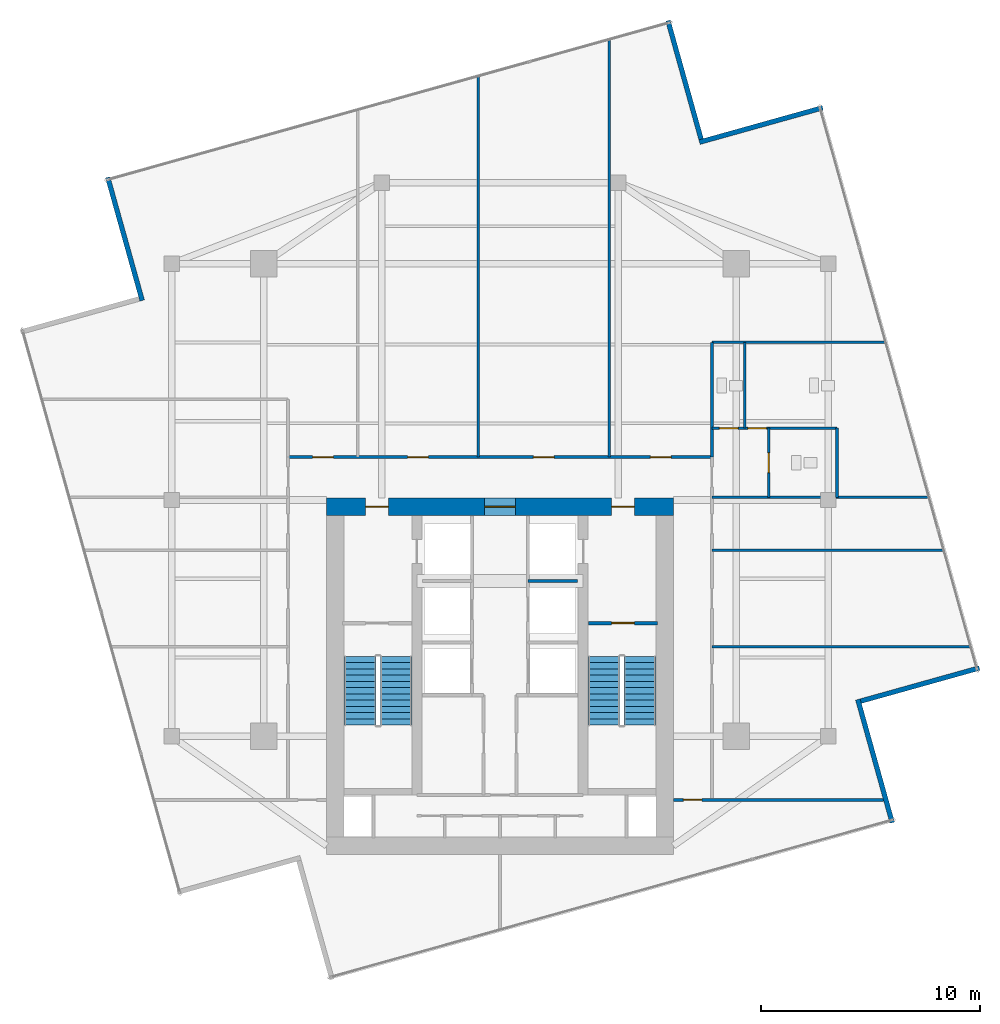
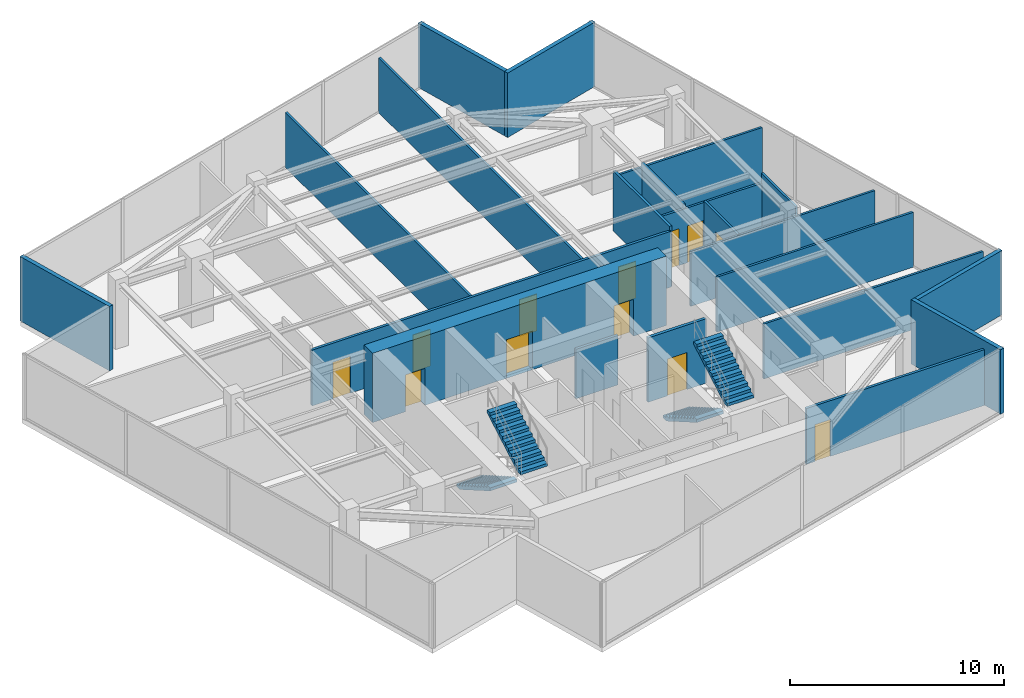
# One storey, part 18 of 20: 21 walls, 12 doors, 4 stair flights, 12 openings, 2 elements without a shape of their own.
"""IFC4 building model written with IfcOpenShell, lengths in metres."""

from ifc_helpers import new_model, si_unit, direction, frame, frame_2d, origin, place, context, subcontext, project, spatial, polyline, rectangle, outline, extrude, material, layer, layer_set, type_object, element, fill, aggregate, save


model = new_model("IFC4")

# Units and contexts
model_context = context("Model", 3, precision=1e-05, world=origin(), true_north=direction((0.0, 1.0)))
body_context = subcontext(model_context, "Body", "Model", "MODEL_VIEW")
ifc_project = project(units=[si_unit("LENGTHUNIT", "METRE"), si_unit("AREAUNIT", "SQUARE_METRE"), si_unit("VOLUMEUNIT", "CUBIC_METRE"), si_unit("PLANEANGLEUNIT", "RADIAN"), si_unit("MASSUNIT", "GRAM", prefix="KILO")], contexts=[model_context])

# Site, building, storey
site_placement = place(None, origin())
site = spatial("IfcSite", under=ifc_project, at=site_placement, CompositionType="ELEMENT")
building_placement = place(site_placement, origin())
building = spatial("IfcBuilding", under=site, at=building_placement, Name="Krantzveldt Concourse Tower", CompositionType="ELEMENT")
storey_placement = place(building_placement, frame((0.0, 0.0, 351.39990234375)))
storey = spatial("IfcBuildingStorey", under=building, at=storey_placement, Name="L86", CompositionType="ELEMENT", Elevation=351.39990234375)

# Walls
ifc_material_1 = material(Name="Anodised aluminium 6063-T6", Category="aluminium")
ifc_layer_1 = layer(ifc_material_1, 0.219970703125, Name="Anodised aluminium 6063-T6", Category="aluminium")
ifc_layer_set_1 = layer_set([ifc_layer_1], Name="Anodised aluminium 6063-T6 (WL-EXT-NOTCH220)")
wall_type_1 = type_object("IfcWallType", Name="WL-EXT-NOTCH220", PredefinedType="ELEMENTEDWALL", material=ifc_layer_set_1)
wall_1_placement = place(storey_placement, frame((45.189697265625, 43.184326171875, 0.0), z_axis=(0.0, 0.0, 1.0), x_axis=(-0.269351408795, 0.963041960965, 0.0)))
element("IfcWall", 1, at=wall_1_placement, inside=storey, type_object=wall_type_1, Name="EW-L86-NCH00", PredefinedType="ELEMENTEDWALL", context=body_context, shape_type="SweptSolid", body=[
    extrude(rectangle(XDim=5.625244140625, YDim=0.219970703125, at=frame_2d((2.8125, 0.0))), origin(), (0.0, 0.0, 1.0), 3.670166015625),
])
wall_2_placement = place(storey_placement, frame((18.076904296875, 41.4423828125, 0.0), z_axis=(0.0, 0.0, 1.0), x_axis=(0.269332441418, -0.963047265714, 0.0)))
element("IfcWall", 2, at=wall_2_placement, inside=storey, type_object=wall_type_1, Name="EW-L86-NCH02", PredefinedType="ELEMENTEDWALL", context=body_context, shape_type="SweptSolid", body=[
    extrude(rectangle(XDim=5.844970703125, YDim=0.219970703125, at=frame_2d((2.92236328125, 0.0))), origin(), (0.0, 0.0, 1.0), 3.670166015625),
])
wall_3_placement = place(storey_placement, frame((53.923095703125, 11.95751953125, 0.0), z_axis=(0.0, 0.0, 1.0), x_axis=(-0.26932160756, 0.96305029552, 0.0)))
element("IfcWall", 3, at=wall_3_placement, inside=storey, type_object=wall_type_1, Name="EW-L86-NCH08", PredefinedType="ELEMENTEDWALL", context=body_context, shape_type="SweptSolid", body=[
    extrude(rectangle(XDim=5.84521484375, YDim=0.219970703125, at=frame_2d((2.922607421875, 0.0))), origin(), (0.0, 0.0, 1.0), 3.670166015625),
])
wall_4_placement = place(storey_placement, frame((52.484375, 17.51025390625, 0.0), z_axis=(0.0, 0.0, 1.0), x_axis=(0.963038811961, 0.269362667524, 0.0)))
element("IfcWall", 4, at=wall_4_placement, inside=storey, type_object=wall_type_1, Name="EW-L86-NCH09", PredefinedType="ELEMENTEDWALL", context=body_context, shape_type="SweptSolid", body=[
    extrude(rectangle(XDim=5.625, YDim=0.219970703125, at=frame_2d((2.8125, 0.0))), origin(), (0.0, 0.0, 1.0), 3.670166015625),
])
wall_5_placement = place(storey_placement, frame((50.742431640625, 44.623046875, 0.0), z_axis=(0.0, 0.0, 1.0), x_axis=(-0.963047265714, -0.269332441418, 0.0)))
element("IfcWall", 5, at=wall_5_placement, inside=storey, type_object=wall_type_1, Name="EW-L86-NCH11", PredefinedType="ELEMENTEDWALL", context=body_context, shape_type="SweptSolid", body=[
    extrude(rectangle(XDim=5.844970703125, YDim=0.219970703125, at=frame_2d((2.92236328125, 0.0))), origin(), (0.0, 0.0, 1.0), 3.670166015625),
])
ifc_material_2 = material(Name="Fire-rated gypsum plasterboard on steel stud", Category="steel")
ifc_layer_2 = layer(ifc_material_2, 0.1201171875, Name="Fire-rated gypsum plasterboard on steel stud", Category="steel")
ifc_layer_set_2 = layer_set([ifc_layer_2], Name="Fire-rated gypsum plasterboard on steel stud (WL-PART-120)")
wall_type_2 = type_object("IfcWallType", Name="WL-PART-120", PredefinedType="PARTITIONING", material=ifc_layer_set_2)
wall_6_placement = place(storey_placement, frame((45.679931640625, 26.820068359375, 0.0), z_axis=(0.0, 0.0, 1.0), x_axis=(1.0, 0.0, 0.0)))
element("IfcWall", 6, at=wall_6_placement, inside=storey, type_object=wall_type_2, Name="WP-L86-WCBS", PredefinedType="PARTITIONING", context=body_context, shape_type="SweptSolid", body=[
    extrude(rectangle(XDim=9.922119140625, YDim=0.1201171875, at=frame_2d((4.9609375, 0.0))), origin(), (0.0, 0.0, 1.0), 3.130126953125),
])
wall_7_placement = place(storey_placement, frame((45.679931640625, 33.89990234375, 0.0), z_axis=(0.0, 0.0, 1.0), x_axis=(1.0, 0.0, 0.0)))
element("IfcWall", 7, at=wall_7_placement, inside=storey, type_object=wall_type_2, Name="WP-L86-WCBN", PredefinedType="PARTITIONING", context=body_context, shape_type="SweptSolid", body=[
    extrude(rectangle(XDim=7.942138671875, YDim=0.1201171875, at=frame_2d((3.97119140625, 0.0))), origin(), (0.0, 0.0, 1.0), 3.130126953125),
])

# Wall, openings, doors
wall_8_placement = place(storey_placement, frame((45.679931640625, 29.97998046875, 0.0), z_axis=(0.0, 0.0, 1.0), x_axis=(1.0, 0.0, 0.0)))
wall_8 = element("IfcWall", 8, at=wall_8_placement, inside=storey, type_object=wall_type_2, Name="WP-L86-WCMH", PredefinedType="PARTITIONING", context=body_context, shape_type="SweptSolid", body=[
    extrude(rectangle(XDim=5.719970703125, YDim=0.1201171875, at=frame_2d((2.85986328125, 0.0))), origin(), (0.0, 0.0, 1.0), 3.130126953125),
])
opening_1_placement = place(wall_8_placement, frame((1.64501953125, 0.0, 0.0)))
opening_1 = element("IfcOpeningElement", 9, at=opening_1_placement, cuts=wall_8, Name="Opening D-IN085", PredefinedType="OPENING", context=body_context, shape_type="SweptSolid", body=[
    extrude(rectangle(XDim=0.85009765625, YDim=2.10009765625, at=frame_2d((0.425048828125, 1.050048828125))), frame((0.0, 0.070068359375, 0.0), z_axis=(0.0, -1.0, 0.0), x_axis=(1.0, 0.0, 0.0)), (0.0, 0.0, 1.0), 0.14013671875),
])
opening_2_placement = place(wall_8_placement, frame((0.344970703125, 0.0, 0.0)))
opening_2 = element("IfcOpeningElement", 10, at=opening_2_placement, cuts=wall_8, Name="Opening D-IN085", PredefinedType="OPENING", context=body_context, shape_type="SweptSolid", body=[
    extrude(rectangle(XDim=0.85009765625, YDim=2.10009765625, at=frame_2d((0.425048828125, 1.050048828125))), frame((0.0, 0.070068359375, 0.0), z_axis=(0.0, -1.0, 0.0), x_axis=(1.0, 0.0, 0.0)), (0.0, 0.0, 1.0), 0.14013671875),
])
ifc_material_3 = material(Name="Hardwood timber", Category="wood")
door_type_1 = type_object("IfcDoorType", Name="DR-INT-850", OperationType="SINGLE_SWING_LEFT", PredefinedType="DOOR", material=ifc_material_3)
door_1_placement = place(opening_1_placement, origin())
door_1 = element("IfcDoor", 11, at=door_1_placement, inside=storey, type_object=door_type_1, Name="DR-L86-WCM", OperationType="SINGLE_SWING_RIGHT", OverallHeight=2.10009765625, OverallWidth=0.85009765625, PredefinedType="DOOR", context=body_context, shape_type="SweptSolid", body=[
    extrude(rectangle(XDim=0.85009765625, YDim=2.10009765625, at=frame_2d((0.425048828125, 1.050048828125))), frame((0.0, 0.02490234375, 0.0), z_axis=(0.0, -1.0, 0.0), x_axis=(1.0, 0.0, 0.0)), (0.0, 0.0, 1.0), 0.050048828125),
])
fill(opening_1, door_1)
door_2_placement = place(opening_2_placement, origin())
door_2 = element("IfcDoor", 12, at=door_2_placement, inside=storey, type_object=door_type_1, Name="DR-L86-WCF", OperationType="SINGLE_SWING_LEFT", OverallHeight=2.10009765625, OverallWidth=0.85009765625, PredefinedType="DOOR", context=body_context, shape_type="SweptSolid", body=[
    extrude(rectangle(XDim=0.85009765625, YDim=2.10009765625, at=frame_2d((0.425048828125, 1.050048828125))), frame((0.0, 0.02490234375, 0.0), z_axis=(0.0, -1.0, 0.0), x_axis=(1.0, 0.0, 0.0)), (0.0, 0.0, 1.0), 0.050048828125),
])
fill(opening_2, door_2)

# Wall
wall_9_placement = place(storey_placement, frame((51.39990234375, 26.820068359375, 0.0), z_axis=(0.0, 0.0, 1.0), x_axis=(0.0, 1.0, 0.0)))
element("IfcWall", 13, at=wall_9_placement, inside=storey, type_object=wall_type_2, Name="WP-L86-WCAR", PredefinedType="PARTITIONING", context=body_context, shape_type="SweptSolid", body=[
    extrude(rectangle(XDim=3.159912109375, YDim=0.1201171875, at=frame_2d((1.580078125, 0.0))), origin(), (0.0, 0.0, 1.0), 3.670166015625),
])

# Wall, opening, door
wall_10_placement = place(storey_placement, frame((48.280029296875, 26.820068359375, 0.0), z_axis=(0.0, 0.0, 1.0), x_axis=(0.0, 1.0, 0.0)))
wall_10 = element("IfcWall", 14, at=wall_10_placement, inside=storey, type_object=wall_type_2, Name="WP-L86-WCAV", PredefinedType="PARTITIONING", context=body_context, shape_type="SweptSolid", body=[
    extrude(rectangle(XDim=3.159912109375, YDim=0.1201171875, at=frame_2d((1.580078125, 0.0))), origin(), (0.0, 0.0, 1.0), 3.18017578125),
])
opening_3_placement = place(wall_10_placement, frame((1.1298828125, 0.0, 0.0)))
opening_3 = element("IfcOpeningElement", 15, at=opening_3_placement, cuts=wall_10, Name="Opening D-IN090", PredefinedType="OPENING", context=body_context, shape_type="SweptSolid", body=[
    extrude(rectangle(XDim=0.89990234375, YDim=2.10009765625, at=frame_2d((0.449951171875, 1.050048828125))), frame((0.0, 0.070068359375, 0.0), z_axis=(0.0, -1.0, 0.0), x_axis=(1.0, 0.0, 0.0)), (0.0, 0.0, 1.0), 0.14013671875),
])
door_type_2 = type_object("IfcDoorType", Name="DR-INT-900", OperationType="SINGLE_SWING_LEFT", PredefinedType="DOOR", material=ifc_material_3)
door_3_placement = place(opening_3_placement, origin())
door_3 = element("IfcDoor", 16, at=door_3_placement, inside=storey, type_object=door_type_2, Name="DR-L86-WCA", OperationType="SINGLE_SWING_RIGHT", OverallHeight=2.10009765625, OverallWidth=0.89990234375, PredefinedType="DOOR", context=body_context, shape_type="SweptSolid", body=[
    extrude(rectangle(XDim=0.89990234375, YDim=2.10009765625, at=frame_2d((0.449951171875, 1.050048828125))), frame((0.0, 0.02490234375, 0.0), z_axis=(0.0, -1.0, 0.0), x_axis=(1.0, 0.0, 0.0)), (0.0, 0.0, 1.0), 0.050048828125),
])
fill(opening_3, door_3)

# Walls
wall_11_placement = place(storey_placement, frame((47.179931640625, 29.97998046875, 0.0), z_axis=(0.0, 0.0, 1.0), x_axis=(0.0, 1.0, 0.0)))
element("IfcWall", 17, at=wall_11_placement, inside=storey, type_object=wall_type_2, Name="WP-L86-WCFD", PredefinedType="PARTITIONING", context=body_context, shape_type="SweptSolid", body=[
    extrude(rectangle(XDim=3.919921875, YDim=0.1201171875, at=frame_2d((1.9599609375, 0.0))), origin(), (0.0, 0.0, 1.0), 3.3701171875),
])
wall_12_placement = place(storey_placement, frame((35.0, 28.659912109375, 0.0), z_axis=(0.0, 0.0, 1.0), x_axis=(0.0, 1.0, 0.0)))
element("IfcWall", 18, at=wall_12_placement, inside=storey, type_object=wall_type_2, Name="WP-L86-ND2", PredefinedType="PARTITIONING", context=body_context, shape_type="SweptSolid", body=[
    extrude(rectangle(XDim=17.39599609375, YDim=0.1201171875, at=frame_2d((8.697998046875, 0.0))), origin(), (0.0, 0.0, 1.0), 3.130126953125),
])
wall_13_placement = place(storey_placement, frame((41.0, 28.659912109375, 0.0), z_axis=(0.0, 0.0, 1.0), x_axis=(0.0, 1.0, 0.0)))
element("IfcWall", 19, at=wall_13_placement, inside=storey, type_object=wall_type_2, Name="WP-L86-ND3", PredefinedType="PARTITIONING", context=body_context, shape_type="SweptSolid", body=[
    extrude(rectangle(XDim=19.073974609375, YDim=0.1201171875, at=frame_2d((9.537109375, 0.0))), origin(), (0.0, 0.0, 1.0), 3.130126953125),
])
wall_14_placement = place(storey_placement, frame((45.679931640625, 20.0, 0.0), z_axis=(0.0, 0.0, 1.0), x_axis=(1.0, 0.0, 0.0)))
element("IfcWall", 20, at=wall_14_placement, inside=storey, type_object=wall_type_2, Name="WP-L86-ED1", PredefinedType="PARTITIONING", context=body_context, shape_type="SweptSolid", body=[
    extrude(rectangle(XDim=11.82958984375, YDim=0.1201171875, at=frame_2d((5.914794921875, 0.0))), origin(), (0.0, 0.0, 1.0), 3.130126953125),
])
wall_15_placement = place(storey_placement, frame((45.679931640625, 24.39990234375, 0.0), z_axis=(0.0, 0.0, 1.0), x_axis=(1.0, 0.0, 0.0)))
element("IfcWall", 21, at=wall_15_placement, inside=storey, type_object=wall_type_2, Name="WP-L86-ED2", PredefinedType="PARTITIONING", context=body_context, shape_type="SweptSolid", body=[
    extrude(rectangle(XDim=10.598876953125, YDim=0.1201171875, at=frame_2d((5.29931640625, 0.0))), origin(), (0.0, 0.0, 1.0), 3.130126953125),
])

# Wall, openings, doors
ifc_layer_3 = layer(ifc_material_2, 0.139892578125, Name="Fire-rated gypsum plasterboard on steel stud", Category="steel")
ifc_layer_set_3 = layer_set([ifc_layer_3], Name="Fire-rated gypsum plasterboard on steel stud (WL-PART-140)")
wall_type_3 = type_object("IfcWallType", Name="WL-PART-140", PredefinedType="PARTITIONING", material=ifc_layer_set_3)
wall_16_placement = place(storey_placement, frame((26.320068359375, 28.659912109375, 0.0), z_axis=(0.0, 0.0, 1.0), x_axis=(1.0, 0.0, 0.0)))
wall_16 = element("IfcWall", 22, at=wall_16_placement, inside=storey, type_object=wall_type_3, Name="WP-L86-CNHDR", PredefinedType="PARTITIONING", context=body_context, shape_type="SweptSolid", body=[
    extrude(rectangle(XDim=19.35986328125, YDim=0.139892578125, at=frame_2d((9.679931640625, 0.0))), origin(), (0.0, 0.0, 1.0), 3.18017578125),
])
opening_4_placement = place(wall_16_placement, frame((1.114990234375, 0.0, 0.0)))
opening_4 = element("IfcOpeningElement", 23, at=opening_4_placement, cuts=wall_16, Name="Opening D-IN095", PredefinedType="OPENING", context=body_context, shape_type="SweptSolid", body=[
    extrude(rectangle(XDim=0.949951171875, YDim=2.10009765625, at=frame_2d((0.47509765625, 1.050048828125))), frame((0.0, 0.080078125, 0.0), z_axis=(0.0, -1.0, 0.0), x_axis=(1.0, 0.0, 0.0)), (0.0, 0.0, 1.0), 0.159912109375),
])
opening_5_placement = place(wall_16_placement, frame((5.455078125, 0.0, 0.0)))
opening_5 = element("IfcOpeningElement", 24, at=opening_5_placement, cuts=wall_16, Name="Opening D-IN095", PredefinedType="OPENING", context=body_context, shape_type="SweptSolid", body=[
    extrude(rectangle(XDim=0.949951171875, YDim=2.10009765625, at=frame_2d((0.47509765625, 1.050048828125))), frame((0.0, 0.080078125, 0.0), z_axis=(0.0, -1.0, 0.0), x_axis=(1.0, 0.0, 0.0)), (0.0, 0.0, 1.0), 0.159912109375),
])
opening_6_placement = place(wall_16_placement, frame((11.205078125, 0.0, 0.0)))
opening_6 = element("IfcOpeningElement", 25, at=opening_6_placement, cuts=wall_16, Name="Opening D-IN095", PredefinedType="OPENING", context=body_context, shape_type="SweptSolid", body=[
    extrude(rectangle(XDim=0.949951171875, YDim=2.10009765625, at=frame_2d((0.47509765625, 1.050048828125))), frame((0.0, 0.080078125, 0.0), z_axis=(0.0, -1.0, 0.0), x_axis=(1.0, 0.0, 0.0)), (0.0, 0.0, 1.0), 0.159912109375),
])
opening_7_placement = place(wall_16_placement, frame((16.544921875, 0.0, 0.0)))
opening_7 = element("IfcOpeningElement", 26, at=opening_7_placement, cuts=wall_16, Name="Opening D-IN095", PredefinedType="OPENING", context=body_context, shape_type="SweptSolid", body=[
    extrude(rectangle(XDim=0.949951171875, YDim=2.10009765625, at=frame_2d((0.47509765625, 1.050048828125))), frame((0.0, 0.080078125, 0.0), z_axis=(0.0, -1.0, 0.0), x_axis=(1.0, 0.0, 0.0)), (0.0, 0.0, 1.0), 0.159912109375),
])
door_type_3 = type_object("IfcDoorType", Name="DR-INT-950", OperationType="SINGLE_SWING_LEFT", PredefinedType="DOOR", material=ifc_material_3)
door_4_placement = place(opening_4_placement, origin())
door_4 = element("IfcDoor", 27, at=door_4_placement, inside=storey, type_object=door_type_3, Name="DR-L86-NR1", OperationType="SINGLE_SWING_LEFT", OverallHeight=2.10009765625, OverallWidth=0.949951171875, PredefinedType="DOOR", context=body_context, shape_type="SweptSolid", body=[
    extrude(rectangle(XDim=0.949951171875, YDim=2.10009765625, at=frame_2d((0.47509765625, 1.050048828125))), frame((0.0, 0.02490234375, 0.0), z_axis=(0.0, -1.0, 0.0), x_axis=(1.0, 0.0, 0.0)), (0.0, 0.0, 1.0), 0.050048828125),
])
fill(opening_4, door_4)
door_5_placement = place(opening_5_placement, origin())
door_5 = element("IfcDoor", 28, at=door_5_placement, inside=storey, type_object=door_type_3, Name="DR-L86-NR2", OperationType="SINGLE_SWING_LEFT", OverallHeight=2.10009765625, OverallWidth=0.949951171875, PredefinedType="DOOR", context=body_context, shape_type="SweptSolid", body=[
    extrude(rectangle(XDim=0.949951171875, YDim=2.10009765625, at=frame_2d((0.47509765625, 1.050048828125))), frame((0.0, 0.02490234375, 0.0), z_axis=(0.0, -1.0, 0.0), x_axis=(1.0, 0.0, 0.0)), (0.0, 0.0, 1.0), 0.050048828125),
])
fill(opening_5, door_5)
door_6_placement = place(opening_6_placement, origin())
door_6 = element("IfcDoor", 29, at=door_6_placement, inside=storey, type_object=door_type_3, Name="DR-L86-NR3", OperationType="SINGLE_SWING_LEFT", OverallHeight=2.10009765625, OverallWidth=0.949951171875, PredefinedType="DOOR", context=body_context, shape_type="SweptSolid", body=[
    extrude(rectangle(XDim=0.949951171875, YDim=2.10009765625, at=frame_2d((0.47509765625, 1.050048828125))), frame((0.0, 0.02490234375, 0.0), z_axis=(0.0, -1.0, 0.0), x_axis=(1.0, 0.0, 0.0)), (0.0, 0.0, 1.0), 0.050048828125),
])
fill(opening_6, door_6)
door_7_placement = place(opening_7_placement, origin())
door_7 = element("IfcDoor", 30, at=door_7_placement, inside=storey, type_object=door_type_3, Name="DR-L86-NR4", OperationType="SINGLE_SWING_LEFT", OverallHeight=2.10009765625, OverallWidth=0.949951171875, PredefinedType="DOOR", context=body_context, shape_type="SweptSolid", body=[
    extrude(rectangle(XDim=0.949951171875, YDim=2.10009765625, at=frame_2d((0.47509765625, 1.050048828125))), frame((0.0, 0.02490234375, 0.0), z_axis=(0.0, -1.0, 0.0), x_axis=(1.0, 0.0, 0.0)), (0.0, 0.0, 1.0), 0.050048828125),
])
fill(opening_7, door_7)

# Wall, opening, door
wall_17_placement = place(storey_placement, frame((43.919921875, 13.0, 0.0), z_axis=(0.0, 0.0, 1.0), x_axis=(1.0, 0.0, 0.0)))
wall_17 = element("IfcWall", 31, at=wall_17_placement, inside=storey, type_object=wall_type_3, Name="WP-L86-CSBOTE", PredefinedType="PARTITIONING", context=body_context, shape_type="SweptSolid", body=[
    extrude(rectangle(XDim=9.59228515625, YDim=0.139892578125, at=frame_2d((4.796142578125, 0.0))), origin(), (0.0, 0.0, 1.0), 3.18017578125),
])
opening_8_placement = place(wall_17_placement, frame((0.455078125, 0.0, 0.0)))
opening_8 = element("IfcOpeningElement", 32, at=opening_8_placement, cuts=wall_17, Name="Opening D-IN085", PredefinedType="OPENING", context=body_context, shape_type="SweptSolid", body=[
    extrude(rectangle(XDim=0.85009765625, YDim=2.10009765625, at=frame_2d((0.425048828125, 1.050048828125))), frame((0.0, 0.080078125, 0.0), z_axis=(0.0, -1.0, 0.0), x_axis=(1.0, 0.0, 0.0)), (0.0, 0.0, 1.0), 0.159912109375),
])
door_8_placement = place(opening_8_placement, origin())
door_8 = element("IfcDoor", 33, at=door_8_placement, inside=storey, type_object=door_type_1, Name="DR-L86-SR2", OperationType="SINGLE_SWING_LEFT", OverallHeight=2.10009765625, OverallWidth=0.85009765625, PredefinedType="DOOR", context=body_context, shape_type="SweptSolid", body=[
    extrude(rectangle(XDim=0.85009765625, YDim=2.10009765625, at=frame_2d((0.425048828125, 1.050048828125))), frame((0.0, 0.02490234375, 0.0), z_axis=(0.0, -1.0, 0.0), x_axis=(1.0, 0.0, 0.0)), (0.0, 0.0, 1.0), 0.050048828125),
])
fill(opening_8, door_8)

# Walls
wall_18_placement = place(storey_placement, frame((45.679931640625, 28.659912109375, 0.0), z_axis=(0.0, 0.0, 1.0), x_axis=(0.0, 1.0, 0.0)))
element("IfcWall", 34, at=wall_18_placement, inside=storey, type_object=wall_type_3, Name="WP-L86-NER", PredefinedType="PARTITIONING", context=body_context, shape_type="SweptSolid", body=[
    extrude(rectangle(XDim=5.239990234375, YDim=0.139892578125, at=frame_2d((2.6201171875, 0.0))), origin(), (0.0, 0.0, 1.0), 3.43017578125),
])
ifc_layer_4 = layer(ifc_material_2, 0.139892578125, Name="Fire-rated gypsum plasterboard on steel stud", Category="steel")
ifc_layer_set_4 = layer_set([ifc_layer_4], Name="Fire-rated gypsum plasterboard on steel stud (WL-PART-FR140)")
wall_type_4 = type_object("IfcWallType", Name="WL-PART-FR140", PredefinedType="PARTITIONING", material=ifc_layer_set_4)
wall_19_placement = place(storey_placement, frame((37.280029296875, 23.0, 0.0), z_axis=(0.0, 0.0, 1.0), x_axis=(1.0, 0.0, 0.0)))
element("IfcWall", 35, at=wall_19_placement, inside=storey, type_object=wall_type_4, Name="WP-L86-GLH", PredefinedType="PARTITIONING", context=body_context, shape_type="SweptSolid", body=[
    extrude(rectangle(XDim=2.27001953125, YDim=0.139892578125, at=frame_2d((1.135009765625, 0.0))), origin(), (0.0, 0.0, 1.0), 2.820068359375),
])

# Wall, opening, door
ifc_layer_5 = layer(ifc_material_2, 0.159912109375, Name="Fire-rated gypsum plasterboard on steel stud", Category="steel")
ifc_layer_set_5 = layer_set([ifc_layer_5], Name="Fire-rated gypsum plasterboard on steel stud (WL-PART-FR160)")
wall_type_5 = type_object("IfcWallType", Name="WL-PART-FR160", PredefinedType="PARTITIONING", material=ifc_layer_set_5)
wall_20_placement = place(storey_placement, frame((40.0400390625, 21.080078125, 0.0), z_axis=(0.0, 0.0, 1.0), x_axis=(1.0, 0.0, 0.0)))
wall_20 = element("IfcWall", 36, at=wall_20_placement, inside=storey, type_object=wall_type_5, Name="WP-L86-ST2", PredefinedType="PARTITIONING", context=body_context, shape_type="SweptSolid", body=[
    extrude(rectangle(XDim=3.159912109375, YDim=0.159912109375, at=frame_2d((1.580078125, 0.0))), origin(), (0.0, 0.0, 1.0), 3.670166015625),
])
opening_9_placement = place(wall_20_placement, frame((1.054931640625, 0.0, 0.0)))
opening_9 = element("IfcOpeningElement", 37, at=opening_9_placement, cuts=wall_20, Name="Opening D-FD105", PredefinedType="OPENING", context=body_context, shape_type="SweptSolid", body=[
    extrude(rectangle(XDim=1.050048828125, YDim=2.10009765625, at=frame_2d((0.52490234375, 1.050048828125))), frame((0.0, 0.08984375, 0.0), z_axis=(0.0, -1.0, 0.0), x_axis=(1.0, 0.0, 0.0)), (0.0, 0.0, 1.0), 0.179931640625),
])
ifc_material_4 = material(Name="Galvanised steel", Category="steel")
door_type_4 = type_object("IfcDoorType", Name="DR-FD120-1050", OperationType="SINGLE_SWING_LEFT", PredefinedType="DOOR", material=ifc_material_4)
door_9_placement = place(opening_9_placement, origin())
door_9 = element("IfcDoor", 38, at=door_9_placement, inside=storey, type_object=door_type_4, Name="DR-L86-ST2", OperationType="SINGLE_SWING_LEFT", OverallHeight=2.10009765625, OverallWidth=1.050048828125, PredefinedType="DOOR", context=body_context, shape_type="SweptSolid", body=[
    extrude(rectangle(XDim=1.050048828125, YDim=2.10009765625, at=frame_2d((0.52490234375, 1.050048828125))), frame((0.0, 0.02490234375, 0.0), z_axis=(0.0, -1.0, 0.0), x_axis=(1.0, 0.0, 0.0)), (0.0, 0.0, 1.0), 0.050048828125),
])
fill(opening_9, door_9)

# Wall, openings, doors
ifc_material_5 = material(Name="Concrete C60/75", Category="concrete")
ifc_layer_6 = layer(ifc_material_5, 0.800048828125, Name="Concrete C60/75", Category="concrete")
ifc_layer_set_6 = layer_set([ifc_layer_6], Name="Concrete C60/75 (WL-SHEAR-800)")
wall_type_6 = type_object("IfcWallType", Name="WL-SHEAR-800", PredefinedType="SHEAR", material=ifc_layer_set_6)
wall_21_placement = place(storey_placement, frame((28.080078125, 26.39990234375, 0.0), z_axis=(0.0, 0.0, 1.0), x_axis=(1.0, 0.0, 0.0)))
wall_21 = element("IfcWall", 39, at=wall_21_placement, inside=storey, type_object=wall_type_6, Name="CW-L86-N", PredefinedType="SHEAR", context=body_context, shape_type="SweptSolid", body=[
    extrude(rectangle(XDim=15.83984375, YDim=0.800048828125, at=frame_2d((7.919921875, 0.0))), origin(), (0.0, 0.0, 1.0), 3.9501953125),
])
opening_10_placement = place(wall_21_placement, frame((7.219970703125, 0.0, 0.0)))
opening_10 = element("IfcOpeningElement", 40, at=opening_10_placement, cuts=wall_21, Name="Opening D-DB140", PredefinedType="OPENING", context=body_context, shape_type="SweptSolid", body=[
    extrude(rectangle(XDim=1.39990234375, YDim=2.199951171875, at=frame_2d((0.699951171875, 1.10009765625))), frame((0.0, 0.41015625, 0.0), z_axis=(0.0, -1.0, 0.0), x_axis=(1.0, 0.0, 0.0)), (0.0, 0.0, 1.0), 0.820068359375),
])
opening_11_placement = place(wall_21_placement, frame((1.77490234375, 0.0, 0.0)))
opening_11 = element("IfcOpeningElement", 41, at=opening_11_placement, cuts=wall_21, Name="Opening D-FD105", PredefinedType="OPENING", context=body_context, shape_type="SweptSolid", body=[
    extrude(rectangle(XDim=1.050048828125, YDim=2.10009765625, at=frame_2d((0.52490234375, 1.050048828125))), frame((0.0, 0.41015625, 0.0), z_axis=(0.0, -1.0, 0.0), x_axis=(1.0, 0.0, 0.0)), (0.0, 0.0, 1.0), 0.820068359375),
])
opening_12_placement = place(wall_21_placement, frame((13.014892578125, 0.0, 0.0)))
opening_12 = element("IfcOpeningElement", 42, at=opening_12_placement, cuts=wall_21, Name="Opening D-FD105", PredefinedType="OPENING", context=body_context, shape_type="SweptSolid", body=[
    extrude(rectangle(XDim=1.050048828125, YDim=2.10009765625, at=frame_2d((0.52490234375, 1.050048828125))), frame((0.0, 0.41015625, 0.0), z_axis=(0.0, -1.0, 0.0), x_axis=(1.0, 0.0, 0.0)), (0.0, 0.0, 1.0), 0.820068359375),
])
door_type_5 = type_object("IfcDoorType", Name="DR-DBL-1400", OperationType="DOUBLE_DOOR_SINGLE_SWING", PredefinedType="DOOR", material=ifc_material_1)
door_10_placement = place(opening_10_placement, origin())
door_10 = element("IfcDoor", 43, at=door_10_placement, inside=storey, type_object=door_type_5, Name="DR-L86-LLB", OperationType="DOUBLE_DOOR_SINGLE_SWING", OverallHeight=2.199951171875, OverallWidth=1.39990234375, PredefinedType="DOOR", context=body_context, shape_type="SweptSolid", body=[
    extrude(rectangle(XDim=1.39990234375, YDim=2.199951171875, at=frame_2d((0.699951171875, 1.10009765625))), frame((0.0, 0.02490234375, 0.0), z_axis=(0.0, -1.0, 0.0), x_axis=(1.0, 0.0, 0.0)), (0.0, 0.0, 1.0), 0.050048828125),
])
fill(opening_10, door_10)
door_11_placement = place(opening_11_placement, origin())
door_11 = element("IfcDoor", 44, at=door_11_placement, inside=storey, type_object=door_type_4, Name="DR-L86-FFL1", OperationType="SINGLE_SWING_LEFT", OverallHeight=2.10009765625, OverallWidth=1.050048828125, PredefinedType="DOOR", context=body_context, shape_type="SweptSolid", body=[
    extrude(rectangle(XDim=1.050048828125, YDim=2.10009765625, at=frame_2d((0.52490234375, 1.050048828125))), frame((0.0, 0.02490234375, 0.0), z_axis=(0.0, -1.0, 0.0), x_axis=(1.0, 0.0, 0.0)), (0.0, 0.0, 1.0), 0.050048828125),
])
fill(opening_11, door_11)
door_12_placement = place(opening_12_placement, origin())
door_12 = element("IfcDoor", 45, at=door_12_placement, inside=storey, type_object=door_type_4, Name="DR-L86-FFL2", OperationType="SINGLE_SWING_RIGHT", OverallHeight=2.10009765625, OverallWidth=1.050048828125, PredefinedType="DOOR", context=body_context, shape_type="SweptSolid", body=[
    extrude(rectangle(XDim=1.050048828125, YDim=2.10009765625, at=frame_2d((0.52490234375, 1.050048828125))), frame((0.0, 0.02490234375, 0.0), z_axis=(0.0, -1.0, 0.0), x_axis=(1.0, 0.0, 0.0)), (0.0, 0.0, 1.0), 0.050048828125),
])
fill(opening_12, door_12)

# Stair, stair flights
ifc_material_6 = material(Name="Precast concrete C40/50", Category="concrete")
stair_type = type_object("IfcStairType", Name="STR-CORE-DOGLEG", PredefinedType="HALF_TURN_STAIR", material=ifc_material_6)
stair_1_placement = place(storey_placement, origin())
stair_1 = element("IfcStair", 46, at=stair_1_placement, inside=storey, type_object=stair_type, Name="L86 Protected Escape Stair ST-1", PredefinedType="HALF_TURN_STAIR")
stair_flight_type = type_object("IfcStairFlightType", Name="STF-CORE-1450", PredefinedType="STRAIGHT", material=ifc_material_6)
stair_flight_1_placement = place(storey_placement, frame((29.60498046875, 19.550048828125, 0.0), z_axis=(0.0, 0.0, 1.0), x_axis=(0.0, -1.0, 0.0)))
stair_flight_1 = element("IfcStairFlight", 47, at=stair_flight_1_placement, type_object=stair_flight_type, Name="ST-1 flight 1", NumberOfRisers=12, NumberOfTreads=11, PredefinedType="STRAIGHT", RiserHeight=0.164583333, TreadLength=0.285, context=body_context, shape_type="SweptSolid", body=[
    extrude(outline(polyline([(0.0, 0.0), (0.0, 0.16455078125), (0.284912109375, 0.16455078125), (0.284912109375, 0.3291015625), (0.570068359375, 0.3291015625), (0.570068359375, 0.49365234375), (0.85498046875, 0.49365234375), (0.85498046875, 0.658447265625), (1.139892578125, 0.658447265625), (1.139892578125, 0.822998046875), (1.425048828125, 0.822998046875), (1.425048828125, 0.987548828125), (1.7099609375, 0.987548828125), (1.7099609375, 1.152099609375), (1.9951171875, 1.152099609375), (1.9951171875, 1.316650390625), (2.280029296875, 1.316650390625), (2.280029296875, 1.481201171875), (2.56494140625, 1.481201171875), (2.56494140625, 1.645751953125), (2.85009765625, 1.645751953125), (2.85009765625, 1.810302734375), (3.135009765625, 1.810302734375), (3.135009765625, 1.97509765625), (3.135009765625, 1.63720703125), (0.2998046875, 0.0), (0.0, 0.0)])), frame((0.0, 0.72509765625, 0.0), z_axis=(0.0, -1.0, 0.0), x_axis=(1.0, 0.0, 0.0)), (0.0, 0.0, 1.0), 1.449951171875),
])
stair_flight_2_placement = place(storey_placement, frame((31.2548828125, 16.4150390625, 1.97509765625), z_axis=(0.0, 0.0, 1.0), x_axis=(0.0, 1.0, 0.0)))
stair_flight_2 = element("IfcStairFlight", 48, at=stair_flight_2_placement, type_object=stair_flight_type, Name="ST-1 flight 2", NumberOfRisers=12, NumberOfTreads=11, PredefinedType="STRAIGHT", RiserHeight=0.164583333, TreadLength=0.285, context=body_context, shape_type="SweptSolid", body=[
    extrude(outline(polyline([(0.0, 0.0), (0.0, 0.16455078125), (0.284912109375, 0.16455078125), (0.284912109375, 0.3291015625), (0.570068359375, 0.3291015625), (0.570068359375, 0.49365234375), (0.85498046875, 0.49365234375), (0.85498046875, 0.658447265625), (1.139892578125, 0.658447265625), (1.139892578125, 0.822998046875), (1.425048828125, 0.822998046875), (1.425048828125, 0.987548828125), (1.7099609375, 0.987548828125), (1.7099609375, 1.152099609375), (1.9951171875, 1.152099609375), (1.9951171875, 1.316650390625), (2.280029296875, 1.316650390625), (2.280029296875, 1.481201171875), (2.56494140625, 1.481201171875), (2.56494140625, 1.645751953125), (2.85009765625, 1.645751953125), (2.85009765625, 1.810302734375), (3.135009765625, 1.810302734375), (3.135009765625, 1.97509765625), (3.135009765625, 1.63720703125), (0.2998046875, 0.0), (0.0, 0.0)])), frame((0.0, 0.72509765625, 0.0), z_axis=(0.0, -1.0, 0.0), x_axis=(1.0, 0.0, 0.0)), (0.0, 0.0, 1.0), 1.449951171875),
])
aggregate(stair_1, [stair_flight_1, stair_flight_2])

stair_2_placement = place(storey_placement, origin())
stair_2 = element("IfcStair", 49, at=stair_2_placement, inside=storey, type_object=stair_type, Name="L86 Protected Escape Stair ST-2", PredefinedType="HALF_TURN_STAIR")
stair_flight_3_placement = place(storey_placement, frame((40.7451171875, 19.550048828125, 0.0), z_axis=(0.0, 0.0, 1.0), x_axis=(0.0, -1.0, 0.0)))
stair_flight_3 = element("IfcStairFlight", 50, at=stair_flight_3_placement, type_object=stair_flight_type, Name="ST-2 flight 1", NumberOfRisers=12, NumberOfTreads=11, PredefinedType="STRAIGHT", RiserHeight=0.164583333, TreadLength=0.285, context=body_context, shape_type="SweptSolid", body=[
    extrude(outline(polyline([(0.0, 0.0), (0.0, 0.16455078125), (0.284912109375, 0.16455078125), (0.284912109375, 0.3291015625), (0.570068359375, 0.3291015625), (0.570068359375, 0.49365234375), (0.85498046875, 0.49365234375), (0.85498046875, 0.658447265625), (1.139892578125, 0.658447265625), (1.139892578125, 0.822998046875), (1.425048828125, 0.822998046875), (1.425048828125, 0.987548828125), (1.7099609375, 0.987548828125), (1.7099609375, 1.152099609375), (1.9951171875, 1.152099609375), (1.9951171875, 1.316650390625), (2.280029296875, 1.316650390625), (2.280029296875, 1.481201171875), (2.56494140625, 1.481201171875), (2.56494140625, 1.645751953125), (2.85009765625, 1.645751953125), (2.85009765625, 1.810302734375), (3.135009765625, 1.810302734375), (3.135009765625, 1.97509765625), (3.135009765625, 1.63720703125), (0.2998046875, 0.0), (0.0, 0.0)])), frame((0.0, 0.72509765625, 0.0), z_axis=(0.0, -1.0, 0.0), x_axis=(1.0, 0.0, 0.0)), (0.0, 0.0, 1.0), 1.449951171875),
])
stair_flight_4_placement = place(storey_placement, frame((42.39501953125, 16.4150390625, 1.97509765625), z_axis=(0.0, 0.0, 1.0), x_axis=(0.0, 1.0, 0.0)))
stair_flight_4 = element("IfcStairFlight", 51, at=stair_flight_4_placement, type_object=stair_flight_type, Name="ST-2 flight 2", NumberOfRisers=12, NumberOfTreads=11, PredefinedType="STRAIGHT", RiserHeight=0.164583333, TreadLength=0.285, context=body_context, shape_type="SweptSolid", body=[
    extrude(outline(polyline([(0.0, 0.0), (0.0, 0.16455078125), (0.284912109375, 0.16455078125), (0.284912109375, 0.3291015625), (0.570068359375, 0.3291015625), (0.570068359375, 0.49365234375), (0.85498046875, 0.49365234375), (0.85498046875, 0.658447265625), (1.139892578125, 0.658447265625), (1.139892578125, 0.822998046875), (1.425048828125, 0.822998046875), (1.425048828125, 0.987548828125), (1.7099609375, 0.987548828125), (1.7099609375, 1.152099609375), (1.9951171875, 1.152099609375), (1.9951171875, 1.316650390625), (2.280029296875, 1.316650390625), (2.280029296875, 1.481201171875), (2.56494140625, 1.481201171875), (2.56494140625, 1.645751953125), (2.85009765625, 1.645751953125), (2.85009765625, 1.810302734375), (3.135009765625, 1.810302734375), (3.135009765625, 1.97509765625), (3.135009765625, 1.63720703125), (0.2998046875, 0.0), (0.0, 0.0)])), frame((0.0, 0.72509765625, 0.0), z_axis=(0.0, -1.0, 0.0), x_axis=(1.0, 0.0, 0.0)), (0.0, 0.0, 1.0), 1.449951171875),
])
aggregate(stair_2, [stair_flight_3, stair_flight_4])

save(model, "model.ifc")
